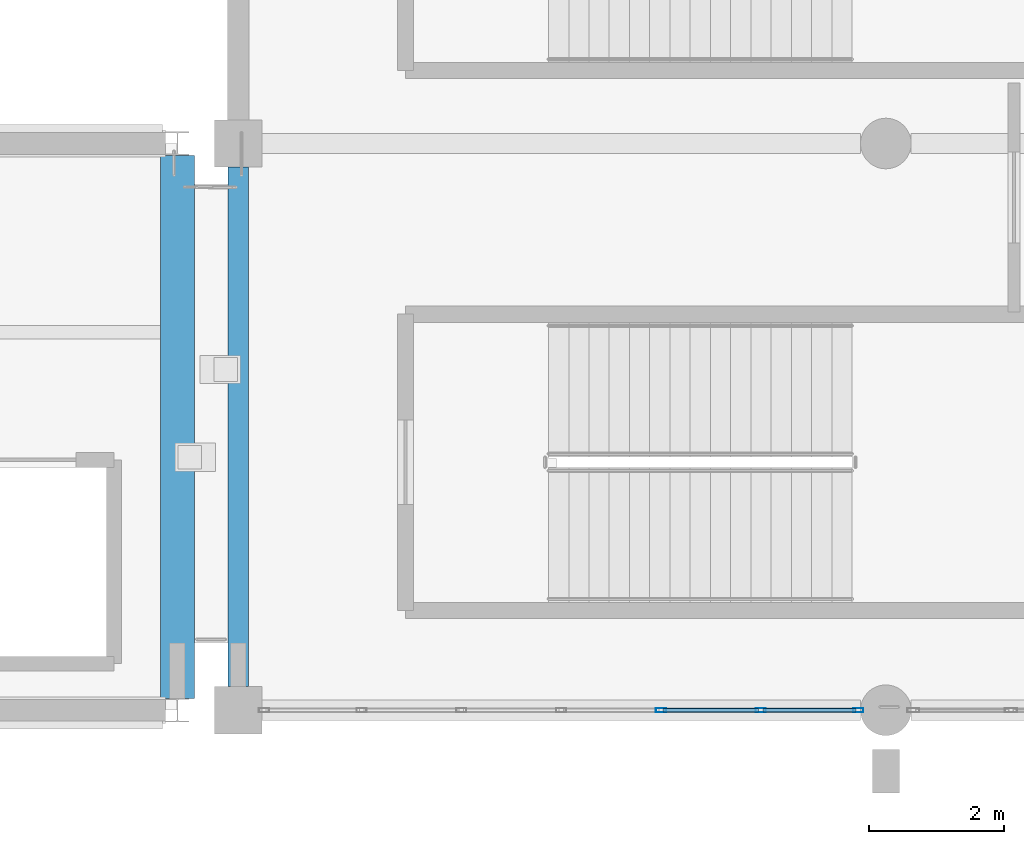
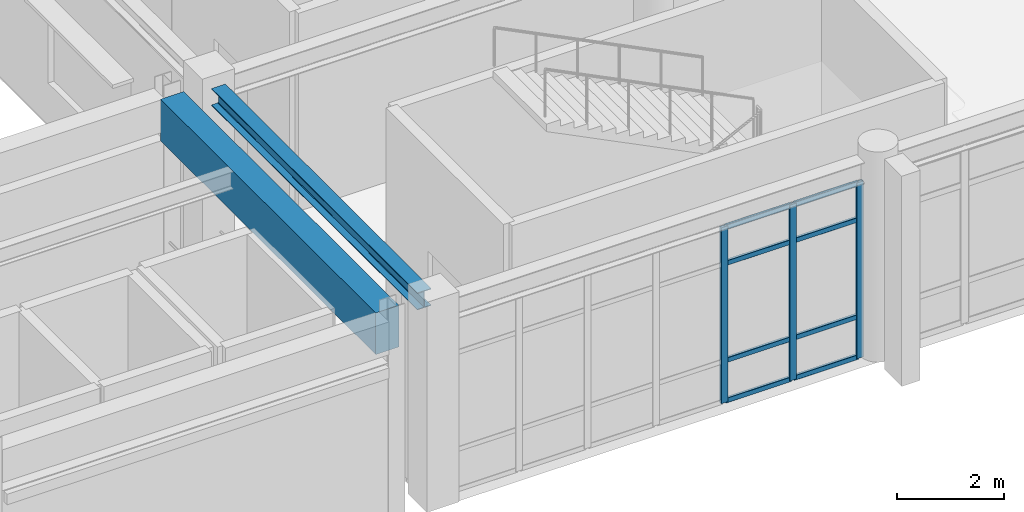
# One storey, part 54 of 98: 11 members, 2 beams, 1 element without a shape of its own.
"""IFC4 building model written with IfcOpenShell, lengths in metres."""

import ifcopenshell
import ifcopenshell.guid

model = None  # the IFC model being written
_history = None  # IfcOwnerHistory: only IFC2X3 demands one
_inside = {}  # id of a spatial element -> (the spatial element, [elements in it])
_under = {}  # id of a project, library or spatial element -> (it, [spatial elements below it])
_declared = {}  # id of a project -> (the project, [libraries it declares])
_typed = {}  # id of a type object -> (the type object, [elements of that type])
_made_of = {}  # id of a material, layer set ... -> (it, [elements and type objects made of it])


def new_model(schema):
    """Start an empty IFC model of exactly this schema.

    Asked for "IFC4X3", IfcOpenShell would pick the latest addendum, in which some entities
    have other attributes; the version numbers below select the first issue.
    IFC2X3 requires an IfcOwnerHistory on every rooted entity: one is made here for all.
    """
    global model, _history
    if schema == "IFC4X3":
        model = ifcopenshell.file(schema_version=(4, 3, 0, 0))
    else:
        model = ifcopenshell.file(schema=schema)
    _inside.clear()
    _under.clear()
    _declared.clear()
    _typed.clear()
    _made_of.clear()
    _history = None
    if model.schema == "IFC2X3":
        org = make("IfcOrganization", Name="unknown")
        user = make(
            "IfcPersonAndOrganization",
            ThePerson=make("IfcPerson", FamilyName="unknown"),
            TheOrganization=org,
        )
        app = make(
            "IfcApplication",
            ApplicationDeveloper=org,
            Version="unknown",
            ApplicationFullName="unknown",
            ApplicationIdentifier="unknown",
        )
        _history = make(
            "IfcOwnerHistory",
            OwningUser=user,
            OwningApplication=app,
            ChangeAction="ADDED",
            CreationDate=0,
        )
    return model


def make(cls, **values):
    """One entity of the class cls with the attributes given. An attribute that is None is left unset."""
    return model.create_entity(
        cls, **{name: value for name, value in values.items() if value is not None}
    )


def rooted(cls, **values):
    """An entity with a GlobalId (a new one), such as an element, a storey or a relation."""
    return make(cls, GlobalId=ifcopenshell.guid.new(), OwnerHistory=_history, **values)


def si_unit(unit_type, name, prefix=None):
    """IfcSIUnit, for example si_unit("LENGTHUNIT", "METRE", prefix="MILLI")."""
    return make("IfcSIUnit", UnitType=unit_type, Prefix=prefix, Name=name)


def assignment(units):
    """IfcUnitAssignment: the units of a project."""
    return None if units is None else make("IfcUnitAssignment", Units=units)


def point(xyz):
    """IfcCartesianPoint."""
    return None if xyz is None else make("IfcCartesianPoint", Coordinates=xyz)


def direction(xyz):
    """IfcDirection."""
    return None if xyz is None else make("IfcDirection", DirectionRatios=xyz)


def frame(location, z_axis=None, x_axis=None):
    """IfcAxis2Placement3D, a coordinate frame: its origin and axes. An axis left out is left unset."""
    return make(
        "IfcAxis2Placement3D",
        Location=point(location),
        Axis=direction(z_axis),
        RefDirection=direction(x_axis),
    )


def frame_2d(location, x_axis=None):
    """IfcAxis2Placement2D, a coordinate frame in the plane: its origin and x axis."""
    return make(
        "IfcAxis2Placement2D", Location=point(location), RefDirection=direction(x_axis)
    )


def origin():
    """The frame at (0, 0, 0) with its axes left unset."""
    return frame((0.0, 0.0, 0.0))


def origin_2d():
    """The frame at (0, 0) in the plane with its x axis left unset."""
    return frame_2d((0.0, 0.0))


def place(relative_to, where):
    """IfcLocalPlacement: puts the frame where relative to a parent placement (None: the world)."""
    return make(
        "IfcLocalPlacement", PlacementRelTo=relative_to, RelativePlacement=where
    )


def context(
    kind, dimensions, precision=None, world=None, true_north=None, identifier=None
):
    """IfcGeometricRepresentationContext, for example the 3D "Model" context."""
    return make(
        "IfcGeometricRepresentationContext",
        ContextIdentifier=identifier,
        ContextType=kind,
        CoordinateSpaceDimension=dimensions,
        Precision=precision,
        WorldCoordinateSystem=world,
        TrueNorth=true_north,
    )


def subcontext(parent, identifier, kind, view, scale=None):
    """IfcGeometricRepresentationSubContext, for example "Body" below "Model"."""
    return make(
        "IfcGeometricRepresentationSubContext",
        ContextIdentifier=identifier,
        ContextType=kind,
        ParentContext=parent,
        TargetScale=scale,
        TargetView=view,
    )


def project(units=None, contexts=None):
    """IfcProject with its units and contexts."""
    return rooted(
        "IfcProject",
        Name="project",
        RepresentationContexts=contexts,
        UnitsInContext=assignment(units),
    )


def spatial(cls, under=None, at=None, **own):
    """A site, building, storey or space (cls), placed at a placement, below another one or the project."""
    s = rooted(cls, ObjectPlacement=at, **own)
    if under is not None:
        _under.setdefault(under.id(), (under, []))[1].append(s)
    return s


def profile(cls, at=None, kind="AREA", **sizes):
    """A parametric profile (cls). Its sizes go by their IFC names, for example OverallWidth=200.0."""
    return make(cls, ProfileType=kind, Position=at, **sizes)


def rectangle(**sizes):
    """IfcRectangleProfileDef."""
    return profile("IfcRectangleProfileDef", **sizes)


def hollow_rectangle(**sizes):
    """IfcRectangleHollowProfileDef."""
    return profile("IfcRectangleHollowProfileDef", **sizes)


def i_section(**sizes):
    """IfcIShapeProfileDef."""
    return profile("IfcIShapeProfileDef", **sizes)


def extrude(swept, where, along, depth):
    """IfcExtrudedAreaSolid: the profile swept, set in the frame where, extruded along a direction by depth."""
    return make(
        "IfcExtrudedAreaSolid",
        SweptArea=swept,
        Position=where,
        ExtrudedDirection=direction(along),
        Depth=depth,
    )


def shape(context_of_items, identifier, shape_type, items):
    """IfcShapeRepresentation: the items that make up one representation, for example the "Body"."""
    return make(
        "IfcShapeRepresentation",
        ContextOfItems=context_of_items,
        RepresentationIdentifier=identifier,
        RepresentationType=shape_type,
        Items=items,
    )


def material(Name=None, Category=None):
    """IfcMaterial."""
    return make("IfcMaterial", Name=Name, Category=Category)


def material_profile(
    of_material, cross_section, Name=None, Category=None, Priority=None
):
    """IfcMaterialProfile: a cross section and its material."""
    return make(
        "IfcMaterialProfile",
        Name=Name,
        Material=of_material,
        Profile=cross_section,
        Priority=Priority,
        Category=Category,
    )


def profile_set(profiles, Name=None, composite=None):
    """IfcMaterialProfileSet."""
    return make(
        "IfcMaterialProfileSet",
        Name=Name,
        MaterialProfiles=profiles,
        CompositeProfile=composite,
    )


def made_of(thing, what):
    """Note that an element or type object is made of a material, layer set ...; save() writes the relation."""
    if what is not None:
        _made_of.setdefault(what.id(), (what, []))[1].append(thing)
    return thing


def type_object(cls, material=None, **own):
    """A type object (cls), such as IfcWallType, which elements share."""
    return made_of(rooted(cls, **own), material)


def element(
    cls,
    number,
    at=None,
    inside=None,
    cuts=None,
    type_object=None,
    material=None,
    context=None,
    identifier="Body",
    shape_type=None,
    held_by="IfcProductDefinitionShape",
    body=None,
    shapes=None,
    **own,
):
    """One element of the class cls, such as IfcWall. Its Tag is "e" and its number.

    at: its placement. inside: the storey or other place that contains it. cuts: it is an
    opening in that element (IfcRelVoidsElement). A single representation is given by context,
    identifier, shape_type and body (its items); several are given by shapes. held_by: the class
    of the entity that holds the representations. save() writes the other relations.
    """
    e = rooted(cls, Tag="e%d" % number, ObjectPlacement=at, **own)
    if body is not None:
        shapes = [shape(context, identifier, shape_type, body)]
    if shapes is not None:
        e.Representation = make(held_by, Representations=shapes)
    if inside is not None:
        _inside.setdefault(inside.id(), (inside, []))[1].append(e)
    if cuts is not None:
        rooted(
            "IfcRelVoidsElement", RelatingBuildingElement=cuts, RelatedOpeningElement=e
        )
    if type_object is not None:
        _typed.setdefault(type_object.id(), (type_object, []))[1].append(e)
    return made_of(e, material)


def aggregate(whole, parts):
    """IfcRelAggregates: a whole, such as a stair, and the parts it consists of."""
    return rooted("IfcRelAggregates", RelatingObject=whole, RelatedObjects=parts)


def save(model, path):
    """Write the relations noted so far, then the file.

    IfcRelAggregates (storeys below a building ...), IfcRelContainedInSpatialStructure (elements
    in a storey), IfcRelDefinesByType, IfcRelAssociatesMaterial and IfcRelDeclares: one each for
    every whole, place, type object, material and project.
    """
    for whole, parts in _under.values():
        aggregate(whole, parts)
    for where, things in _inside.values():
        rooted(
            "IfcRelContainedInSpatialStructure",
            RelatedElements=things,
            RelatingStructure=where,
        )
    for kind, things in _typed.values():
        rooted("IfcRelDefinesByType", RelatedObjects=things, RelatingType=kind)
    for what, things in _made_of.values():
        rooted("IfcRelAssociatesMaterial", RelatedObjects=things, RelatingMaterial=what)
    for by, libraries in _declared.values():
        rooted("IfcRelDeclares", RelatingContext=by, RelatedDefinitions=libraries)
    model.write(path)


model = new_model("IFC4")

# Units and contexts
model_context = context("Model", 3, precision=1e-05, world=origin(), true_north=direction((0.0, 1.0)))
body_context = subcontext(model_context, "Body", "Model", "MODEL_VIEW")
ifc_project = project(units=[si_unit("LENGTHUNIT", "METRE"), si_unit("AREAUNIT", "SQUARE_METRE"), si_unit("VOLUMEUNIT", "CUBIC_METRE"), si_unit("PLANEANGLEUNIT", "RADIAN"), si_unit("MASSUNIT", "GRAM", prefix="KILO")], contexts=[model_context])

# Site, building, storey
site_placement = place(None, origin())
site = spatial("IfcSite", under=ifc_project, at=site_placement, CompositionType="ELEMENT")
building_placement = place(site_placement, origin())
building = spatial("IfcBuilding", under=site, at=building_placement, Name="Canglan Escarpment Cableway Terminal", CompositionType="ELEMENT")
storey_placement = place(building_placement, frame((0.0, 0.0, 9.60009765625)))
storey = spatial("IfcBuildingStorey", under=building, at=storey_placement, Name="L02", CompositionType="ELEMENT", Elevation=9.60009765625)

# Beams
ifc_material_1 = material(Name="Steel Q355B", Category="steel")
ifc_material_profile_1 = material_profile(ifc_material_1, i_section(OverallWidth=0.300048828125, OverallDepth=0.389892578125, WebThickness=0.010009765625, FlangeThickness=0.01611328125, FilletRadius=0.02197265625, at=origin_2d()), Name="HM 390x300x10x16")
ifc_profile_set_1 = profile_set([ifc_material_profile_1], Name="Steel Q355B")
beam_type_1 = type_object("IfcBeamType", Name="BM-ARCH-TOP-HM390", PredefinedType="BEAM", material=ifc_profile_set_1)
beam_1_placement = place(storey_placement, frame((147.199951171875, 8.35009765625, 4.324951171875), z_axis=(0.0, 1.0, 0.0), x_axis=(-1.0, 0.0, 0.0)))
element("IfcBeam", 1, at=beam_1_placement, inside=storey, type_object=beam_type_1, Name="Primary transverse girder AR-TC1", PredefinedType="BEAM", context=body_context, shape_type="SweptSolid", body=[
    extrude(i_section(OverallWidth=0.300048828125, OverallDepth=0.389892578125, WebThickness=0.010009765625, FlangeThickness=0.01611328125, FilletRadius=0.02197265625, at=origin_2d()), origin(), (0.0, 0.0, 1.0), 7.699951171875),
])
ifc_material_2 = material(Name="Concrete C50", Category="concrete")
ifc_material_profile_2 = material_profile(ifc_material_2, rectangle(XDim=0.5, YDim=0.949951171875, at=origin_2d()), Name="RC 500x950")
ifc_profile_set_2 = profile_set([ifc_material_profile_2], Name="Concrete C50")
beam_type_2 = type_object("IfcBeamType", Name="BM-RC500x950", PredefinedType="BEAM", material=ifc_profile_set_2)
beam_2_placement = place(storey_placement, frame((146.300048828125, 8.175048828125, 4.044921875), z_axis=(0.0, 1.0, 0.0), x_axis=(-1.0, 0.0, 0.0)))
element("IfcBeam", 2, at=beam_2_placement, inside=storey, type_object=beam_type_2, Name="Primary transverse girder B-01", PredefinedType="BEAM", context=body_context, shape_type="SweptSolid", body=[
    extrude(rectangle(XDim=0.5, YDim=0.949951171875, at=origin_2d()), origin(), (0.0, 0.0, 1.0), 8.050048828125),
])

# Curtain wall, members
ifc_material_3 = material(Name="Anodized bronze aluminium and Low-E double glazing", Category="aluminium")
curtain_wall_type = type_object("IfcCurtainWallType", Name="CW-BAY-8875x4025", PredefinedType="NOTDEFINED", material=ifc_material_3)
curtain_wall_placement = place(storey_placement, origin())
curtain_wall = element("IfcCurtainWall", 3, at=curtain_wall_placement, inside=storey, type_object=curtain_wall_type, Name="Classical bay-between-piers glazed curtain wall CW-26", PredefinedType="NOTDEFINED")
ifc_material_4 = material(Name="Thermally broken anodized aluminium 6063-T6", Category="aluminium")
ifc_material_profile_3 = material_profile(ifc_material_4, hollow_rectangle(XDim=0.06494140625, YDim=0.14990234375, WallThickness=0.00341796875, InnerFilletRadius=0.00341796875, OuterFilletRadius=0.007080078125, at=origin_2d()), Name="ALU-MULL 65x150x3.5")
ifc_profile_set_3 = profile_set([ifc_material_profile_3], Name="Thermally broken anodized aluminium 6063-T6")
member_type_1 = type_object("IfcMemberType", Name="CWM-02", PredefinedType="MULLION", material=ifc_profile_set_3)
member_1_placement = place(storey_placement, frame((153.466552734375, 8.0, 0.0), z_axis=(0.0, 0.0, 1.0), x_axis=(0.0, 1.0, 0.0)))
member_1 = element("IfcMember", 4, at=member_1_placement, type_object=member_type_1, Name="CW-26 mullion 5", PredefinedType="MULLION", context=body_context, shape_type="SweptSolid", body=[
    extrude(hollow_rectangle(XDim=0.06494140625, YDim=0.14990234375, WallThickness=0.00341796875, InnerFilletRadius=0.00341796875, OuterFilletRadius=0.007080078125, at=origin_2d()), origin(), (0.0, 0.0, 1.0), 4.016845703125),
])
member_2_placement = place(storey_placement, frame((154.94580078125, 8.0, 0.0), z_axis=(0.0, 0.0, 1.0), x_axis=(0.0, 1.0, 0.0)))
member_2 = element("IfcMember", 5, at=member_2_placement, type_object=member_type_1, Name="CW-26 mullion 6", PredefinedType="MULLION", context=body_context, shape_type="SweptSolid", body=[
    extrude(hollow_rectangle(XDim=0.06494140625, YDim=0.14990234375, WallThickness=0.00341796875, InnerFilletRadius=0.00341796875, OuterFilletRadius=0.007080078125, at=origin_2d()), origin(), (0.0, 0.0, 1.0), 4.016845703125),
])
member_3_placement = place(storey_placement, frame((156.392578125, 8.0, 0.0), z_axis=(0.0, 0.0, 1.0), x_axis=(0.0, 1.0, 0.0)))
member_3 = element("IfcMember", 6, at=member_3_placement, type_object=member_type_1, Name="CW-26 mullion 7", PredefinedType="MULLION", context=body_context, shape_type="SweptSolid", body=[
    extrude(hollow_rectangle(XDim=0.06494140625, YDim=0.14990234375, WallThickness=0.00341796875, InnerFilletRadius=0.00341796875, OuterFilletRadius=0.007080078125, at=origin_2d()), origin(), (0.0, 0.0, 1.0), 4.016845703125),
])
ifc_material_profile_4 = material_profile(ifc_material_4, hollow_rectangle(XDim=0.06005859375, YDim=0.110107421875, WallThickness=0.0029296875, InnerFilletRadius=0.0029296875, OuterFilletRadius=0.006103515625, at=origin_2d()), Name="ALU-TRAN 60x110x3")
ifc_profile_set_4 = profile_set([ifc_material_profile_4], Name="Thermally broken anodized aluminium 6063-T6")
member_type_2 = type_object("IfcMemberType", Name="CWT-02", PredefinedType="USERDEFINED", material=ifc_profile_set_4)
member_4_placement = place(storey_placement, frame((153.499267578125, 8.0, 0.02978515625), z_axis=(1.0, 0.0, 0.0), x_axis=(0.0, 1.0, 0.0)))
member_4 = element("IfcMember", 7, at=member_4_placement, type_object=member_type_2, Name="CW-26 transom 5.1", ObjectType="TRANSOM", PredefinedType="USERDEFINED", context=body_context, shape_type="SweptSolid", body=[
    extrude(hollow_rectangle(XDim=0.06005859375, YDim=0.110107421875, WallThickness=0.0029296875, InnerFilletRadius=0.0029296875, OuterFilletRadius=0.006103515625, at=origin_2d()), origin(), (0.0, 0.0, 1.0), 1.4140625),
])
member_5_placement = place(storey_placement, frame((153.499267578125, 8.0, 0.949951171875), z_axis=(1.0, 0.0, 0.0), x_axis=(0.0, 1.0, 0.0)))
member_5 = element("IfcMember", 8, at=member_5_placement, type_object=member_type_2, Name="CW-26 transom 5.2", ObjectType="TRANSOM", PredefinedType="USERDEFINED", context=body_context, shape_type="SweptSolid", body=[
    extrude(hollow_rectangle(XDim=0.06005859375, YDim=0.110107421875, WallThickness=0.0029296875, InnerFilletRadius=0.0029296875, OuterFilletRadius=0.006103515625, at=origin_2d()), origin(), (0.0, 0.0, 1.0), 1.4140625),
])
member_6_placement = place(storey_placement, frame((153.499267578125, 8.0, 3.1669921875), z_axis=(1.0, 0.0, 0.0), x_axis=(0.0, 1.0, 0.0)))
member_6 = element("IfcMember", 9, at=member_6_placement, type_object=member_type_2, Name="CW-26 transom 5.3", ObjectType="TRANSOM", PredefinedType="USERDEFINED", context=body_context, shape_type="SweptSolid", body=[
    extrude(hollow_rectangle(XDim=0.06005859375, YDim=0.110107421875, WallThickness=0.0029296875, InnerFilletRadius=0.0029296875, OuterFilletRadius=0.006103515625, at=origin_2d()), origin(), (0.0, 0.0, 1.0), 1.4140625),
])
member_7_placement = place(storey_placement, frame((153.499267578125, 8.0, 3.98681640625), z_axis=(1.0, 0.0, 0.0), x_axis=(0.0, 1.0, 0.0)))
member_7 = element("IfcMember", 10, at=member_7_placement, type_object=member_type_2, Name="CW-26 transom 5.4", ObjectType="TRANSOM", PredefinedType="USERDEFINED", context=body_context, shape_type="SweptSolid", body=[
    extrude(hollow_rectangle(XDim=0.06005859375, YDim=0.110107421875, WallThickness=0.0029296875, InnerFilletRadius=0.0029296875, OuterFilletRadius=0.006103515625, at=origin_2d()), origin(), (0.0, 0.0, 1.0), 1.4140625),
])
member_8_placement = place(storey_placement, frame((154.978271484375, 8.0, 0.02978515625), z_axis=(1.0, 0.0, 0.0), x_axis=(0.0, 1.0, 0.0)))
member_8 = element("IfcMember", 11, at=member_8_placement, type_object=member_type_2, Name="CW-26 transom 6.1", ObjectType="TRANSOM", PredefinedType="USERDEFINED", context=body_context, shape_type="SweptSolid", body=[
    extrude(hollow_rectangle(XDim=0.06005859375, YDim=0.110107421875, WallThickness=0.0029296875, InnerFilletRadius=0.0029296875, OuterFilletRadius=0.006103515625, at=origin_2d()), origin(), (0.0, 0.0, 1.0), 1.3818359375),
])
member_9_placement = place(storey_placement, frame((154.978271484375, 8.0, 0.949951171875), z_axis=(1.0, 0.0, 0.0), x_axis=(0.0, 1.0, 0.0)))
member_9 = element("IfcMember", 12, at=member_9_placement, type_object=member_type_2, Name="CW-26 transom 6.2", ObjectType="TRANSOM", PredefinedType="USERDEFINED", context=body_context, shape_type="SweptSolid", body=[
    extrude(hollow_rectangle(XDim=0.06005859375, YDim=0.110107421875, WallThickness=0.0029296875, InnerFilletRadius=0.0029296875, OuterFilletRadius=0.006103515625, at=origin_2d()), origin(), (0.0, 0.0, 1.0), 1.3818359375),
])
member_10_placement = place(storey_placement, frame((154.978271484375, 8.0, 3.1669921875), z_axis=(1.0, 0.0, 0.0), x_axis=(0.0, 1.0, 0.0)))
member_10 = element("IfcMember", 13, at=member_10_placement, type_object=member_type_2, Name="CW-26 transom 6.3", ObjectType="TRANSOM", PredefinedType="USERDEFINED", context=body_context, shape_type="SweptSolid", body=[
    extrude(hollow_rectangle(XDim=0.06005859375, YDim=0.110107421875, WallThickness=0.0029296875, InnerFilletRadius=0.0029296875, OuterFilletRadius=0.006103515625, at=origin_2d()), origin(), (0.0, 0.0, 1.0), 1.3818359375),
])
member_11_placement = place(storey_placement, frame((154.978271484375, 8.0, 3.98681640625), z_axis=(1.0, 0.0, 0.0), x_axis=(0.0, 1.0, 0.0)))
member_11 = element("IfcMember", 14, at=member_11_placement, type_object=member_type_2, Name="CW-26 transom 6.4", ObjectType="TRANSOM", PredefinedType="USERDEFINED", context=body_context, shape_type="SweptSolid", body=[
    extrude(hollow_rectangle(XDim=0.06005859375, YDim=0.110107421875, WallThickness=0.0029296875, InnerFilletRadius=0.0029296875, OuterFilletRadius=0.006103515625, at=origin_2d()), origin(), (0.0, 0.0, 1.0), 1.3818359375),
])
aggregate(curtain_wall, [member_1, member_2, member_3, member_4, member_5, member_6, member_7, member_8, member_9, member_10, member_11])

save(model, "model.ifc")
